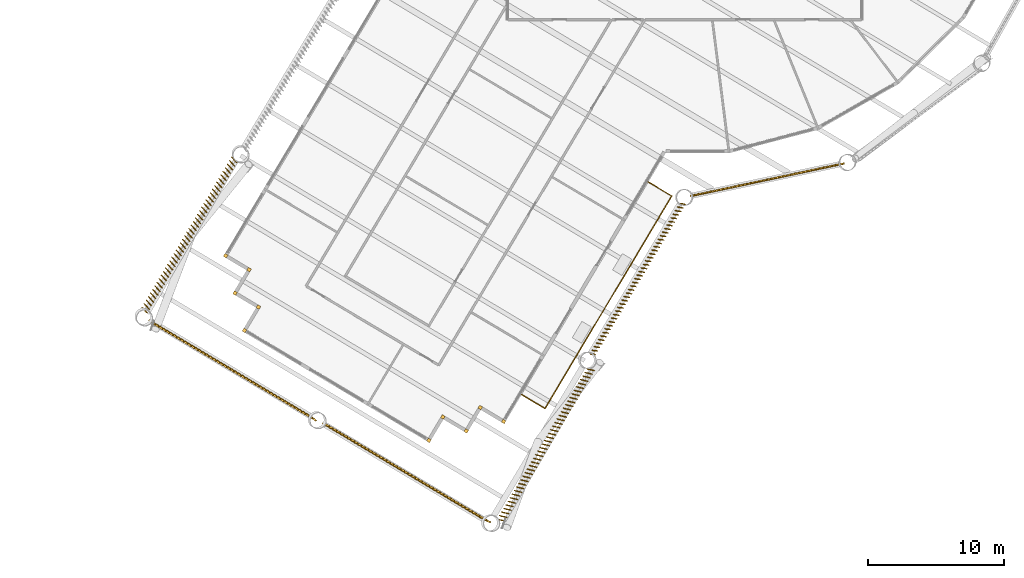
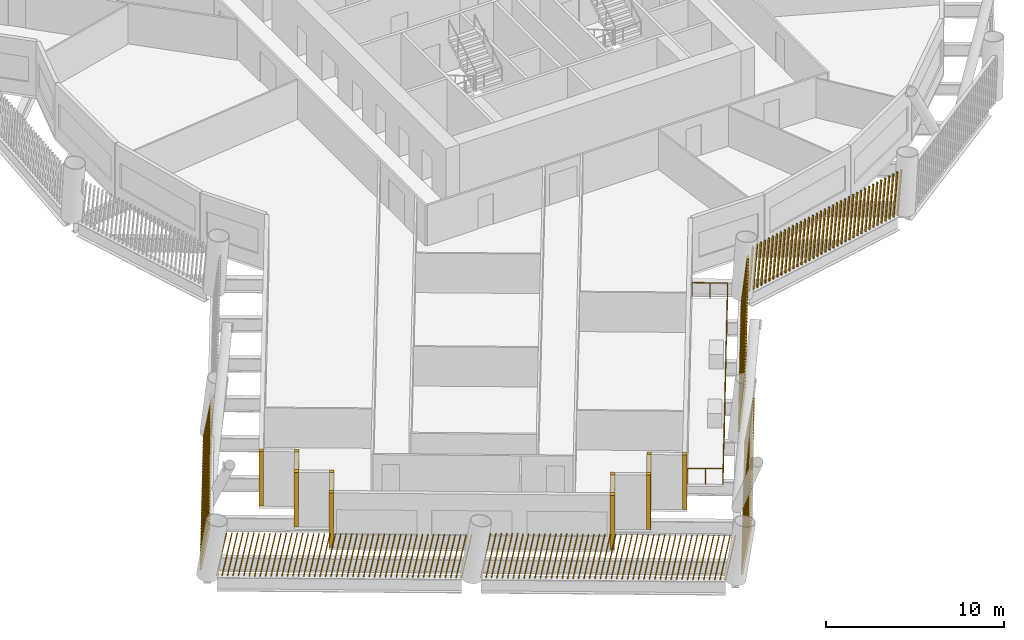
# One storey, part 18 of 22: 16 shading devices, 1 railing.
"""IFC4 building model written with IfcOpenShell, lengths in metres."""

from ifc_helpers import new_model, si_unit, direction, frame, frame_2d, origin, origin_2d, place, context, subcontext, project, spatial, rectangle, circle, composite_profile, extrude, material, type_object, element, save


model = new_model("IFC4")

# Units and contexts
model_context = context("Model", 3, precision=1e-05, world=origin(), true_north=direction((0.0, 1.0)))
body_context = subcontext(model_context, "Body", "Model", "MODEL_VIEW")
ifc_project = project(units=[si_unit("LENGTHUNIT", "METRE"), si_unit("AREAUNIT", "SQUARE_METRE"), si_unit("VOLUMEUNIT", "CUBIC_METRE"), si_unit("PLANEANGLEUNIT", "RADIAN"), si_unit("MASSUNIT", "GRAM", prefix="KILO")], contexts=[model_context])

# Site, building, storey
site_placement = place(None, origin())
site = spatial("IfcSite", under=ifc_project, at=site_placement, CompositionType="ELEMENT")
building_placement = place(site_placement, origin())
building = spatial("IfcBuilding", under=site, at=building_placement, Name="Tarsis Ring Headquarters", CompositionType="ELEMENT")
storey_placement = place(building_placement, frame((0.0, 0.0, 79.0)))
storey = spatial("IfcBuildingStorey", under=building, at=storey_placement, Name="L17", CompositionType="ELEMENT", Elevation=79.0)

# Railing
ifc_material_1 = material(Name="Stainless steel guard", Category="steel")
railing_type = type_object("IfcRailingType", Name="Balcony balustrade with mesh infill 1100", PredefinedType="BALUSTRADE", material=ifc_material_1)
railing_placement = place(storey_placement, frame((-11.96630859375, -43.50927734375, 0.0)))
element("IfcRailing", 1, at=railing_placement, inside=storey, type_object=railing_type, Name="Balcony balustrade L17-16", PredefinedType="BALUSTRADE", context=body_context, shape_type="SweptSolid", body=[
    extrude(circle(Radius=0.030029296875, at=origin_2d()), frame((0.0, 0.0, 1.070068359375), z_axis=(0.858922191739, -0.512106110623, 0.0), x_axis=(0.512106110623, 0.858922191739, 0.0)), (0.0, 0.0, 1.0), 2.0),
    extrude(circle(Radius=0.030029296875, at=origin_2d()), frame((1.7177734375, -1.024169921875, 1.070068359375), z_axis=(0.512048893766, 0.858956302959, 0.0), x_axis=(-0.858956302959, 0.512048893766, 0.0)), (0.0, 0.0, 1.0), 18.1513671875),
    extrude(circle(Radius=0.030029296875, at=origin_2d()), frame((11.01220703125, 14.567138671875, 1.070068359375), z_axis=(-0.858954201292, 0.512052419272, 0.0), x_axis=(-0.512052419272, -0.858954201292, 0.0)), (0.0, 0.0, 1.0), 2.000244140625),
    extrude(circle(Radius=0.02490234375, at=origin_2d()), origin(), (0.0, 0.0, 1.0), 1.0400390625),
    extrude(circle(Radius=0.02490234375, at=origin_2d()), frame((0.85888671875, -0.51220703125, 0.0)), (0.0, 0.0, 1.0), 1.0400390625),
    extrude(circle(Radius=0.02490234375, at=origin_2d()), frame((1.7177734375, -1.024169921875, 0.0)), (0.0, 0.0, 1.0), 1.0400390625),
    extrude(circle(Radius=0.02490234375, at=origin_2d()), frame((2.298583984375, -0.0498046875, 0.0)), (0.0, 0.0, 1.0), 1.0400390625),
    extrude(circle(Radius=0.02490234375, at=origin_2d()), frame((2.879638671875, 0.9248046875, 0.0)), (0.0, 0.0, 1.0), 1.0400390625),
    extrude(circle(Radius=0.02490234375, at=origin_2d()), frame((3.46044921875, 1.899169921875, 0.0)), (0.0, 0.0, 1.0), 1.0400390625),
    extrude(circle(Radius=0.02490234375, at=origin_2d()), frame((4.04150390625, 2.87353515625, 0.0)), (0.0, 0.0, 1.0), 1.0400390625),
    extrude(circle(Radius=0.02490234375, at=origin_2d()), frame((4.622314453125, 3.84814453125, 0.0)), (0.0, 0.0, 1.0), 1.0400390625),
    extrude(circle(Radius=0.02490234375, at=origin_2d()), frame((5.203125, 4.822509765625, 0.0)), (0.0, 0.0, 1.0), 1.0400390625),
    extrude(circle(Radius=0.02490234375, at=origin_2d()), frame((5.7841796875, 5.797119140625, 0.0)), (0.0, 0.0, 1.0), 1.0400390625),
    extrude(circle(Radius=0.02490234375, at=origin_2d()), frame((6.364990234375, 6.771484375, 0.0)), (0.0, 0.0, 1.0), 1.0400390625),
    extrude(circle(Radius=0.02490234375, at=origin_2d()), frame((6.94580078125, 7.745849609375, 0.0)), (0.0, 0.0, 1.0), 1.0400390625),
    extrude(circle(Radius=0.02490234375, at=origin_2d()), frame((7.52685546875, 8.720458984375, 0.0)), (0.0, 0.0, 1.0), 1.0400390625),
    extrude(circle(Radius=0.02490234375, at=origin_2d()), frame((8.107666015625, 9.69482421875, 0.0)), (0.0, 0.0, 1.0), 1.0400390625),
    extrude(circle(Radius=0.02490234375, at=origin_2d()), frame((8.6884765625, 10.66943359375, 0.0)), (0.0, 0.0, 1.0), 1.0400390625),
    extrude(circle(Radius=0.02490234375, at=origin_2d()), frame((9.26953125, 11.643798828125, 0.0)), (0.0, 0.0, 1.0), 1.0400390625),
    extrude(circle(Radius=0.02490234375, at=origin_2d()), frame((9.850341796875, 12.6181640625, 0.0)), (0.0, 0.0, 1.0), 1.0400390625),
    extrude(circle(Radius=0.02490234375, at=origin_2d()), frame((10.431396484375, 13.5927734375, 0.0)), (0.0, 0.0, 1.0), 1.0400390625),
    extrude(circle(Radius=0.02490234375, at=origin_2d()), frame((11.01220703125, 14.567138671875, 0.0)), (0.0, 0.0, 1.0), 1.0400390625),
    extrude(circle(Radius=0.02490234375, at=origin_2d()), frame((10.1533203125, 15.0791015625, 0.0)), (0.0, 0.0, 1.0), 1.0400390625),
    extrude(circle(Radius=0.02490234375, at=origin_2d()), frame((9.294189453125, 15.59130859375, 0.0)), (0.0, 0.0, 1.0), 1.0400390625),
])

# Shading devices
ifc_material_2 = material(Name="Terracotta baguette", Category="masonry")
shading_device_type_1 = type_object("IfcShadingDeviceType", Name="Terracotta baguette screen", PredefinedType="USERDEFINED", material=ifc_material_2)
shading_device_1_placement = place(storey_placement, frame((-33.2080078125, -26.07080078125, 0.0), z_axis=(0.0, 0.0, 1.0), x_axis=(-0.512034514078, -0.858953981229, 0.0)))
element("IfcShadingDevice", 2, at=shading_device_1_placement, inside=storey, type_object=shading_device_type_1, Name="Baguette screen L17-02", ObjectType="Terracotta baguette screen", PredefinedType="USERDEFINED", context=body_context, shape_type="SweptSolid", body=[
    extrude(composite_profile([rectangle(XDim=0.06005859375, YDim=0.1201171875, at=frame_2d((0.030029296875, 0.0))), rectangle(XDim=0.06005859375, YDim=0.1201171875, at=frame_2d((0.335693359375, 0.0))), rectangle(XDim=0.06005859375, YDim=0.1201171875, at=frame_2d((0.6416015625, 0.0))), rectangle(XDim=0.06005859375, YDim=0.1201171875, at=frame_2d((0.947265625, 0.0))), rectangle(XDim=0.06005859375, YDim=0.1201171875, at=frame_2d((1.253173828125, 0.0))), rectangle(XDim=0.06005859375, YDim=0.1201171875, at=frame_2d((1.558837890625, 0.0))), rectangle(XDim=0.06005859375, YDim=0.1201171875, at=frame_2d((1.864501953125, 0.0))), rectangle(XDim=0.06005859375, YDim=0.1201171875, at=frame_2d((2.17041015625, 0.0))), rectangle(XDim=0.06005859375, YDim=0.1201171875, at=frame_2d((2.47607421875, 0.0))), rectangle(XDim=0.06005859375, YDim=0.1201171875, at=frame_2d((2.781982421875, 0.0))), rectangle(XDim=0.06005859375, YDim=0.1201171875, at=frame_2d((3.087646484375, 0.0))), rectangle(XDim=0.06005859375, YDim=0.1201171875, at=frame_2d((3.393310546875, 0.0))), rectangle(XDim=0.06005859375, YDim=0.1201171875, at=frame_2d((3.69921875, 0.0))), rectangle(XDim=0.06005859375, YDim=0.1201171875, at=frame_2d((4.0048828125, 0.0))), rectangle(XDim=0.06005859375, YDim=0.1201171875, at=frame_2d((4.310791015625, 0.0))), rectangle(XDim=0.06005859375, YDim=0.1201171875, at=frame_2d((4.616455078125, 0.0))), rectangle(XDim=0.06005859375, YDim=0.1201171875, at=frame_2d((4.922119140625, 0.0))), rectangle(XDim=0.06005859375, YDim=0.1201171875, at=frame_2d((5.22802734375, 0.0))), rectangle(XDim=0.06005859375, YDim=0.1201171875, at=frame_2d((5.53369140625, 0.0))), rectangle(XDim=0.06005859375, YDim=0.1201171875, at=frame_2d((5.839599609375, 0.0))), rectangle(XDim=0.06005859375, YDim=0.1201171875, at=frame_2d((6.145263671875, 0.0))), rectangle(XDim=0.06005859375, YDim=0.1201171875, at=frame_2d((6.451171875, 0.0))), rectangle(XDim=0.06005859375, YDim=0.1201171875, at=frame_2d((6.7568359375, 0.0))), rectangle(XDim=0.06005859375, YDim=0.1201171875, at=frame_2d((7.0625, 0.0))), rectangle(XDim=0.06005859375, YDim=0.1201171875, at=frame_2d((7.368408203125, 0.0))), rectangle(XDim=0.06005859375, YDim=0.1201171875, at=frame_2d((7.674072265625, 0.0))), rectangle(XDim=0.06005859375, YDim=0.1201171875, at=frame_2d((7.97998046875, 0.0))), rectangle(XDim=0.06005859375, YDim=0.1201171875, at=frame_2d((8.28564453125, 0.0))), rectangle(XDim=0.06005859375, YDim=0.1201171875, at=frame_2d((8.59130859375, 0.0))), rectangle(XDim=0.06005859375, YDim=0.1201171875, at=frame_2d((8.897216796875, 0.0))), rectangle(XDim=0.06005859375, YDim=0.1201171875, at=frame_2d((9.202880859375, 0.0))), rectangle(XDim=0.06005859375, YDim=0.1201171875, at=frame_2d((9.5087890625, 0.0))), rectangle(XDim=0.06005859375, YDim=0.1201171875, at=frame_2d((9.814453125, 0.0))), rectangle(XDim=0.06005859375, YDim=0.1201171875, at=frame_2d((10.1201171875, 0.0))), rectangle(XDim=0.06005859375, YDim=0.1201171875, at=frame_2d((10.426025390625, 0.0))), rectangle(XDim=0.06005859375, YDim=0.1201171875, at=frame_2d((10.731689453125, 0.0))), rectangle(XDim=0.06005859375, YDim=0.1201171875, at=frame_2d((11.03759765625, 0.0))), rectangle(XDim=0.06005859375, YDim=0.1201171875, at=frame_2d((11.34326171875, 0.0))), rectangle(XDim=0.06005859375, YDim=0.1201171875, at=frame_2d((11.64892578125, 0.0))), rectangle(XDim=0.06005859375, YDim=0.1201171875, at=frame_2d((11.954833984375, 0.0))), rectangle(XDim=0.06005859375, YDim=0.1201171875, at=frame_2d((12.260498046875, 0.0))), rectangle(XDim=0.06005859375, YDim=0.1201171875, at=frame_2d((12.56640625, 0.0))), rectangle(XDim=0.06005859375, YDim=0.1201171875, at=frame_2d((12.8720703125, 0.0)))]), origin(), (0.052207865951, 0.160549018093, 0.985646159391), 2.99560546875),
])
shading_device_2_placement = place(storey_placement, frame((-39.319091796875, -38.03076171875, 0.0), z_axis=(0.0, 0.0, 1.0), x_axis=(0.858949863779, -0.512047553338, 0.0)))
element("IfcShadingDevice", 3, at=shading_device_2_placement, inside=storey, type_object=shading_device_type_1, Name="Baguette screen L17-03", ObjectType="Terracotta baguette screen", PredefinedType="USERDEFINED", context=body_context, shape_type="SweptSolid", body=[
    extrude(composite_profile([rectangle(XDim=0.06005859375, YDim=0.1201171875, at=frame_2d((0.030029296875, 0.0))), rectangle(XDim=0.06005859375, YDim=0.1201171875, at=frame_2d((0.33544921875, 0.0))), rectangle(XDim=0.06005859375, YDim=0.1201171875, at=frame_2d((0.640625, 0.0))), rectangle(XDim=0.06005859375, YDim=0.1201171875, at=frame_2d((0.946044921875, 0.0))), rectangle(XDim=0.06005859375, YDim=0.1201171875, at=frame_2d((1.25146484375, 0.0))), rectangle(XDim=0.06005859375, YDim=0.1201171875, at=frame_2d((1.556640625, 0.0))), rectangle(XDim=0.06005859375, YDim=0.1201171875, at=frame_2d((1.862060546875, 0.0))), rectangle(XDim=0.06005859375, YDim=0.1201171875, at=frame_2d((2.16748046875, 0.0))), rectangle(XDim=0.06005859375, YDim=0.1201171875, at=frame_2d((2.47265625, 0.0))), rectangle(XDim=0.06005859375, YDim=0.1201171875, at=frame_2d((2.778076171875, 0.0))), rectangle(XDim=0.06005859375, YDim=0.1201171875, at=frame_2d((3.08349609375, 0.0))), rectangle(XDim=0.06005859375, YDim=0.1201171875, at=frame_2d((3.388671875, 0.0))), rectangle(XDim=0.06005859375, YDim=0.1201171875, at=frame_2d((3.694091796875, 0.0))), rectangle(XDim=0.06005859375, YDim=0.1201171875, at=frame_2d((3.99951171875, 0.0))), rectangle(XDim=0.06005859375, YDim=0.1201171875, at=frame_2d((4.3046875, 0.0))), rectangle(XDim=0.06005859375, YDim=0.1201171875, at=frame_2d((4.610107421875, 0.0))), rectangle(XDim=0.06005859375, YDim=0.1201171875, at=frame_2d((4.91552734375, 0.0))), rectangle(XDim=0.06005859375, YDim=0.1201171875, at=frame_2d((5.220703125, 0.0))), rectangle(XDim=0.06005859375, YDim=0.1201171875, at=frame_2d((5.526123046875, 0.0))), rectangle(XDim=0.06005859375, YDim=0.1201171875, at=frame_2d((5.83154296875, 0.0))), rectangle(XDim=0.06005859375, YDim=0.1201171875, at=frame_2d((6.13671875, 0.0))), rectangle(XDim=0.06005859375, YDim=0.1201171875, at=frame_2d((6.442138671875, 0.0))), rectangle(XDim=0.06005859375, YDim=0.1201171875, at=frame_2d((6.74755859375, 0.0))), rectangle(XDim=0.06005859375, YDim=0.1201171875, at=frame_2d((7.052734375, 0.0))), rectangle(XDim=0.06005859375, YDim=0.1201171875, at=frame_2d((7.358154296875, 0.0))), rectangle(XDim=0.06005859375, YDim=0.1201171875, at=frame_2d((7.66357421875, 0.0))), rectangle(XDim=0.06005859375, YDim=0.1201171875, at=frame_2d((7.96875, 0.0))), rectangle(XDim=0.06005859375, YDim=0.1201171875, at=frame_2d((8.274169921875, 0.0))), rectangle(XDim=0.06005859375, YDim=0.1201171875, at=frame_2d((8.57958984375, 0.0))), rectangle(XDim=0.06005859375, YDim=0.1201171875, at=frame_2d((8.884765625, 0.0))), rectangle(XDim=0.06005859375, YDim=0.1201171875, at=frame_2d((9.190185546875, 0.0))), rectangle(XDim=0.06005859375, YDim=0.1201171875, at=frame_2d((9.49560546875, 0.0))), rectangle(XDim=0.06005859375, YDim=0.1201171875, at=frame_2d((9.80078125, 0.0))), rectangle(XDim=0.06005859375, YDim=0.1201171875, at=frame_2d((10.106201171875, 0.0))), rectangle(XDim=0.06005859375, YDim=0.1201171875, at=frame_2d((10.41162109375, 0.0))), rectangle(XDim=0.06005859375, YDim=0.1201171875, at=frame_2d((10.716796875, 0.0))), rectangle(XDim=0.06005859375, YDim=0.1201171875, at=frame_2d((11.022216796875, 0.0))), rectangle(XDim=0.06005859375, YDim=0.1201171875, at=frame_2d((11.32763671875, 0.0))), rectangle(XDim=0.06005859375, YDim=0.1201171875, at=frame_2d((11.6328125, 0.0))), rectangle(XDim=0.06005859375, YDim=0.1201171875, at=frame_2d((11.938232421875, 0.0))), rectangle(XDim=0.06005859375, YDim=0.1201171875, at=frame_2d((12.24365234375, 0.0))), rectangle(XDim=0.06005859375, YDim=0.1201171875, at=frame_2d((12.548828125, 0.0))), rectangle(XDim=0.06005859375, YDim=0.1201171875, at=frame_2d((12.854248046875, 0.0))), rectangle(XDim=0.06005859375, YDim=0.1201171875, at=frame_2d((13.15966796875, 0.0))), rectangle(XDim=0.06005859375, YDim=0.1201171875, at=frame_2d((13.46484375, 0.0))), rectangle(XDim=0.06005859375, YDim=0.1201171875, at=frame_2d((13.770263671875, 0.0)))]), origin(), (0.184133442592, -0.024822582168, 0.982587764392), 3.0048828125),
])
shading_device_3_placement = place(storey_placement, frame((-26.6064453125, -45.609130859375, 0.0), z_axis=(0.0, 0.0, 1.0), x_axis=(0.858965059708, -0.512038920831, 0.0)))
element("IfcShadingDevice", 4, at=shading_device_3_placement, inside=storey, type_object=shading_device_type_1, Name="Baguette screen L17-04", ObjectType="Terracotta baguette screen", PredefinedType="USERDEFINED", context=body_context, shape_type="SweptSolid", body=[
    extrude(composite_profile([rectangle(XDim=0.06005859375, YDim=0.1201171875, at=frame_2d((0.030029296875, 0.0))), rectangle(XDim=0.06005859375, YDim=0.1201171875, at=frame_2d((0.33544921875, 0.0))), rectangle(XDim=0.06005859375, YDim=0.1201171875, at=frame_2d((0.640625, 0.0))), rectangle(XDim=0.06005859375, YDim=0.1201171875, at=frame_2d((0.946044921875, 0.0))), rectangle(XDim=0.06005859375, YDim=0.1201171875, at=frame_2d((1.25146484375, 0.0))), rectangle(XDim=0.06005859375, YDim=0.1201171875, at=frame_2d((1.556640625, 0.0))), rectangle(XDim=0.06005859375, YDim=0.1201171875, at=frame_2d((1.862060546875, 0.0))), rectangle(XDim=0.06005859375, YDim=0.1201171875, at=frame_2d((2.16748046875, 0.0))), rectangle(XDim=0.06005859375, YDim=0.1201171875, at=frame_2d((2.47265625, 0.0))), rectangle(XDim=0.06005859375, YDim=0.1201171875, at=frame_2d((2.778076171875, 0.0))), rectangle(XDim=0.06005859375, YDim=0.1201171875, at=frame_2d((3.08349609375, 0.0))), rectangle(XDim=0.06005859375, YDim=0.1201171875, at=frame_2d((3.388671875, 0.0))), rectangle(XDim=0.06005859375, YDim=0.1201171875, at=frame_2d((3.694091796875, 0.0))), rectangle(XDim=0.06005859375, YDim=0.1201171875, at=frame_2d((3.99951171875, 0.0))), rectangle(XDim=0.06005859375, YDim=0.1201171875, at=frame_2d((4.3046875, 0.0))), rectangle(XDim=0.06005859375, YDim=0.1201171875, at=frame_2d((4.610107421875, 0.0))), rectangle(XDim=0.06005859375, YDim=0.1201171875, at=frame_2d((4.91552734375, 0.0))), rectangle(XDim=0.06005859375, YDim=0.1201171875, at=frame_2d((5.220703125, 0.0))), rectangle(XDim=0.06005859375, YDim=0.1201171875, at=frame_2d((5.526123046875, 0.0))), rectangle(XDim=0.06005859375, YDim=0.1201171875, at=frame_2d((5.83154296875, 0.0))), rectangle(XDim=0.06005859375, YDim=0.1201171875, at=frame_2d((6.13671875, 0.0))), rectangle(XDim=0.06005859375, YDim=0.1201171875, at=frame_2d((6.442138671875, 0.0))), rectangle(XDim=0.06005859375, YDim=0.1201171875, at=frame_2d((6.74755859375, 0.0))), rectangle(XDim=0.06005859375, YDim=0.1201171875, at=frame_2d((7.052734375, 0.0))), rectangle(XDim=0.06005859375, YDim=0.1201171875, at=frame_2d((7.358154296875, 0.0))), rectangle(XDim=0.06005859375, YDim=0.1201171875, at=frame_2d((7.66357421875, 0.0))), rectangle(XDim=0.06005859375, YDim=0.1201171875, at=frame_2d((7.96875, 0.0))), rectangle(XDim=0.06005859375, YDim=0.1201171875, at=frame_2d((8.274169921875, 0.0))), rectangle(XDim=0.06005859375, YDim=0.1201171875, at=frame_2d((8.57958984375, 0.0))), rectangle(XDim=0.06005859375, YDim=0.1201171875, at=frame_2d((8.884765625, 0.0))), rectangle(XDim=0.06005859375, YDim=0.1201171875, at=frame_2d((9.190185546875, 0.0))), rectangle(XDim=0.06005859375, YDim=0.1201171875, at=frame_2d((9.49560546875, 0.0))), rectangle(XDim=0.06005859375, YDim=0.1201171875, at=frame_2d((9.80078125, 0.0))), rectangle(XDim=0.06005859375, YDim=0.1201171875, at=frame_2d((10.106201171875, 0.0))), rectangle(XDim=0.06005859375, YDim=0.1201171875, at=frame_2d((10.41162109375, 0.0))), rectangle(XDim=0.06005859375, YDim=0.1201171875, at=frame_2d((10.716796875, 0.0))), rectangle(XDim=0.06005859375, YDim=0.1201171875, at=frame_2d((11.022216796875, 0.0))), rectangle(XDim=0.06005859375, YDim=0.1201171875, at=frame_2d((11.32763671875, 0.0))), rectangle(XDim=0.06005859375, YDim=0.1201171875, at=frame_2d((11.6328125, 0.0))), rectangle(XDim=0.06005859375, YDim=0.1201171875, at=frame_2d((11.938232421875, 0.0))), rectangle(XDim=0.06005859375, YDim=0.1201171875, at=frame_2d((12.24365234375, 0.0))), rectangle(XDim=0.06005859375, YDim=0.1201171875, at=frame_2d((12.548828125, 0.0))), rectangle(XDim=0.06005859375, YDim=0.1201171875, at=frame_2d((12.854248046875, 0.0))), rectangle(XDim=0.06005859375, YDim=0.1201171875, at=frame_2d((13.15966796875, 0.0))), rectangle(XDim=0.06005859375, YDim=0.1201171875, at=frame_2d((13.46484375, 0.0))), rectangle(XDim=0.06005859375, YDim=0.1201171875, at=frame_2d((13.770263671875, 0.0)))]), origin(), (0.183864561837, 0.026750189231, 0.982587528049), 3.0048828125),
])
shading_device_4_placement = place(storey_placement, frame((-13.7451171875, -52.69384765625, 0.0), z_axis=(0.0, 0.0, 1.0), x_axis=(0.512034514078, 0.858953981229, 0.0)))
element("IfcShadingDevice", 5, at=shading_device_4_placement, inside=storey, type_object=shading_device_type_1, Name="Baguette screen L17-05", ObjectType="Terracotta baguette screen", PredefinedType="USERDEFINED", context=body_context, shape_type="SweptSolid", body=[
    extrude(composite_profile([rectangle(XDim=0.06005859375, YDim=0.1201171875, at=frame_2d((0.030029296875, 0.0))), rectangle(XDim=0.06005859375, YDim=0.1201171875, at=frame_2d((0.335693359375, 0.0))), rectangle(XDim=0.06005859375, YDim=0.1201171875, at=frame_2d((0.6416015625, 0.0))), rectangle(XDim=0.06005859375, YDim=0.1201171875, at=frame_2d((0.947265625, 0.0))), rectangle(XDim=0.06005859375, YDim=0.1201171875, at=frame_2d((1.253173828125, 0.0))), rectangle(XDim=0.06005859375, YDim=0.1201171875, at=frame_2d((1.558837890625, 0.0))), rectangle(XDim=0.06005859375, YDim=0.1201171875, at=frame_2d((1.864501953125, 0.0))), rectangle(XDim=0.06005859375, YDim=0.1201171875, at=frame_2d((2.17041015625, 0.0))), rectangle(XDim=0.06005859375, YDim=0.1201171875, at=frame_2d((2.47607421875, 0.0))), rectangle(XDim=0.06005859375, YDim=0.1201171875, at=frame_2d((2.781982421875, 0.0))), rectangle(XDim=0.06005859375, YDim=0.1201171875, at=frame_2d((3.087646484375, 0.0))), rectangle(XDim=0.06005859375, YDim=0.1201171875, at=frame_2d((3.393310546875, 0.0))), rectangle(XDim=0.06005859375, YDim=0.1201171875, at=frame_2d((3.69921875, 0.0))), rectangle(XDim=0.06005859375, YDim=0.1201171875, at=frame_2d((4.0048828125, 0.0))), rectangle(XDim=0.06005859375, YDim=0.1201171875, at=frame_2d((4.310791015625, 0.0))), rectangle(XDim=0.06005859375, YDim=0.1201171875, at=frame_2d((4.616455078125, 0.0))), rectangle(XDim=0.06005859375, YDim=0.1201171875, at=frame_2d((4.922119140625, 0.0))), rectangle(XDim=0.06005859375, YDim=0.1201171875, at=frame_2d((5.22802734375, 0.0))), rectangle(XDim=0.06005859375, YDim=0.1201171875, at=frame_2d((5.53369140625, 0.0))), rectangle(XDim=0.06005859375, YDim=0.1201171875, at=frame_2d((5.839599609375, 0.0))), rectangle(XDim=0.06005859375, YDim=0.1201171875, at=frame_2d((6.145263671875, 0.0))), rectangle(XDim=0.06005859375, YDim=0.1201171875, at=frame_2d((6.451171875, 0.0))), rectangle(XDim=0.06005859375, YDim=0.1201171875, at=frame_2d((6.7568359375, 0.0))), rectangle(XDim=0.06005859375, YDim=0.1201171875, at=frame_2d((7.0625, 0.0))), rectangle(XDim=0.06005859375, YDim=0.1201171875, at=frame_2d((7.368408203125, 0.0))), rectangle(XDim=0.06005859375, YDim=0.1201171875, at=frame_2d((7.674072265625, 0.0))), rectangle(XDim=0.06005859375, YDim=0.1201171875, at=frame_2d((7.97998046875, 0.0))), rectangle(XDim=0.06005859375, YDim=0.1201171875, at=frame_2d((8.28564453125, 0.0))), rectangle(XDim=0.06005859375, YDim=0.1201171875, at=frame_2d((8.59130859375, 0.0))), rectangle(XDim=0.06005859375, YDim=0.1201171875, at=frame_2d((8.897216796875, 0.0))), rectangle(XDim=0.06005859375, YDim=0.1201171875, at=frame_2d((9.202880859375, 0.0))), rectangle(XDim=0.06005859375, YDim=0.1201171875, at=frame_2d((9.5087890625, 0.0))), rectangle(XDim=0.06005859375, YDim=0.1201171875, at=frame_2d((9.814453125, 0.0))), rectangle(XDim=0.06005859375, YDim=0.1201171875, at=frame_2d((10.1201171875, 0.0))), rectangle(XDim=0.06005859375, YDim=0.1201171875, at=frame_2d((10.426025390625, 0.0))), rectangle(XDim=0.06005859375, YDim=0.1201171875, at=frame_2d((10.731689453125, 0.0))), rectangle(XDim=0.06005859375, YDim=0.1201171875, at=frame_2d((11.03759765625, 0.0))), rectangle(XDim=0.06005859375, YDim=0.1201171875, at=frame_2d((11.34326171875, 0.0))), rectangle(XDim=0.06005859375, YDim=0.1201171875, at=frame_2d((11.64892578125, 0.0))), rectangle(XDim=0.06005859375, YDim=0.1201171875, at=frame_2d((11.954833984375, 0.0))), rectangle(XDim=0.06005859375, YDim=0.1201171875, at=frame_2d((12.260498046875, 0.0))), rectangle(XDim=0.06005859375, YDim=0.1201171875, at=frame_2d((12.56640625, 0.0))), rectangle(XDim=0.06005859375, YDim=0.1201171875, at=frame_2d((12.8720703125, 0.0)))]), origin(), (0.053884980976, -0.159994222355, 0.985646111765), 2.99560546875),
])
shading_device_5_placement = place(storey_placement, frame((-6.94873046875, -40.560302734375, 0.0), z_axis=(0.0, 0.0, 1.0), x_axis=(0.512034514078, 0.858953981229, 0.0)))
element("IfcShadingDevice", 6, at=shading_device_5_placement, inside=storey, type_object=shading_device_type_1, Name="Baguette screen L17-06", ObjectType="Terracotta baguette screen", PredefinedType="USERDEFINED", context=body_context, shape_type="SweptSolid", body=[
    extrude(composite_profile([rectangle(XDim=0.06005859375, YDim=0.1201171875, at=frame_2d((0.030029296875, 0.0))), rectangle(XDim=0.06005859375, YDim=0.1201171875, at=frame_2d((0.335693359375, 0.0))), rectangle(XDim=0.06005859375, YDim=0.1201171875, at=frame_2d((0.6416015625, 0.0))), rectangle(XDim=0.06005859375, YDim=0.1201171875, at=frame_2d((0.947265625, 0.0))), rectangle(XDim=0.06005859375, YDim=0.1201171875, at=frame_2d((1.253173828125, 0.0))), rectangle(XDim=0.06005859375, YDim=0.1201171875, at=frame_2d((1.558837890625, 0.0))), rectangle(XDim=0.06005859375, YDim=0.1201171875, at=frame_2d((1.864501953125, 0.0))), rectangle(XDim=0.06005859375, YDim=0.1201171875, at=frame_2d((2.17041015625, 0.0))), rectangle(XDim=0.06005859375, YDim=0.1201171875, at=frame_2d((2.47607421875, 0.0))), rectangle(XDim=0.06005859375, YDim=0.1201171875, at=frame_2d((2.781982421875, 0.0))), rectangle(XDim=0.06005859375, YDim=0.1201171875, at=frame_2d((3.087646484375, 0.0))), rectangle(XDim=0.06005859375, YDim=0.1201171875, at=frame_2d((3.393310546875, 0.0))), rectangle(XDim=0.06005859375, YDim=0.1201171875, at=frame_2d((3.69921875, 0.0))), rectangle(XDim=0.06005859375, YDim=0.1201171875, at=frame_2d((4.0048828125, 0.0))), rectangle(XDim=0.06005859375, YDim=0.1201171875, at=frame_2d((4.310791015625, 0.0))), rectangle(XDim=0.06005859375, YDim=0.1201171875, at=frame_2d((4.616455078125, 0.0))), rectangle(XDim=0.06005859375, YDim=0.1201171875, at=frame_2d((4.922119140625, 0.0))), rectangle(XDim=0.06005859375, YDim=0.1201171875, at=frame_2d((5.22802734375, 0.0))), rectangle(XDim=0.06005859375, YDim=0.1201171875, at=frame_2d((5.53369140625, 0.0))), rectangle(XDim=0.06005859375, YDim=0.1201171875, at=frame_2d((5.839599609375, 0.0))), rectangle(XDim=0.06005859375, YDim=0.1201171875, at=frame_2d((6.145263671875, 0.0))), rectangle(XDim=0.06005859375, YDim=0.1201171875, at=frame_2d((6.451171875, 0.0))), rectangle(XDim=0.06005859375, YDim=0.1201171875, at=frame_2d((6.7568359375, 0.0))), rectangle(XDim=0.06005859375, YDim=0.1201171875, at=frame_2d((7.0625, 0.0))), rectangle(XDim=0.06005859375, YDim=0.1201171875, at=frame_2d((7.368408203125, 0.0))), rectangle(XDim=0.06005859375, YDim=0.1201171875, at=frame_2d((7.674072265625, 0.0))), rectangle(XDim=0.06005859375, YDim=0.1201171875, at=frame_2d((7.97998046875, 0.0))), rectangle(XDim=0.06005859375, YDim=0.1201171875, at=frame_2d((8.28564453125, 0.0))), rectangle(XDim=0.06005859375, YDim=0.1201171875, at=frame_2d((8.59130859375, 0.0))), rectangle(XDim=0.06005859375, YDim=0.1201171875, at=frame_2d((8.897216796875, 0.0))), rectangle(XDim=0.06005859375, YDim=0.1201171875, at=frame_2d((9.202880859375, 0.0))), rectangle(XDim=0.06005859375, YDim=0.1201171875, at=frame_2d((9.5087890625, 0.0))), rectangle(XDim=0.06005859375, YDim=0.1201171875, at=frame_2d((9.814453125, 0.0))), rectangle(XDim=0.06005859375, YDim=0.1201171875, at=frame_2d((10.1201171875, 0.0))), rectangle(XDim=0.06005859375, YDim=0.1201171875, at=frame_2d((10.426025390625, 0.0))), rectangle(XDim=0.06005859375, YDim=0.1201171875, at=frame_2d((10.731689453125, 0.0))), rectangle(XDim=0.06005859375, YDim=0.1201171875, at=frame_2d((11.03759765625, 0.0))), rectangle(XDim=0.06005859375, YDim=0.1201171875, at=frame_2d((11.34326171875, 0.0))), rectangle(XDim=0.06005859375, YDim=0.1201171875, at=frame_2d((11.64892578125, 0.0))), rectangle(XDim=0.06005859375, YDim=0.1201171875, at=frame_2d((11.954833984375, 0.0))), rectangle(XDim=0.06005859375, YDim=0.1201171875, at=frame_2d((12.260498046875, 0.0))), rectangle(XDim=0.06005859375, YDim=0.1201171875, at=frame_2d((12.56640625, 0.0))), rectangle(XDim=0.06005859375, YDim=0.1201171875, at=frame_2d((12.8720703125, 0.0)))]), origin(), (0.052672847914, -0.112154978067, 0.992293722638), 2.9755859375),
])
shading_device_6_placement = place(storey_placement, frame((0.40283203125, -28.9443359375, 0.0), z_axis=(0.0, 0.0, 1.0), x_axis=(0.978144329897, 0.207921866522, 0.0)))
element("IfcShadingDevice", 7, at=shading_device_6_placement, inside=storey, type_object=shading_device_type_1, Name="Baguette screen L17-07", ObjectType="Terracotta baguette screen", PredefinedType="USERDEFINED", context=body_context, shape_type="SweptSolid", body=[
    extrude(composite_profile([rectangle(XDim=0.06005859375, YDim=0.1201171875, at=frame_2d((0.030029296875, 0.0))), rectangle(XDim=0.06005859375, YDim=0.1201171875, at=frame_2d((0.33251953125, 0.0))), rectangle(XDim=0.06005859375, YDim=0.1201171875, at=frame_2d((0.634765625, 0.0))), rectangle(XDim=0.06005859375, YDim=0.1201171875, at=frame_2d((0.937255859375, 0.0))), rectangle(XDim=0.06005859375, YDim=0.1201171875, at=frame_2d((1.239501953125, 0.0))), rectangle(XDim=0.06005859375, YDim=0.1201171875, at=frame_2d((1.5419921875, 0.0))), rectangle(XDim=0.06005859375, YDim=0.1201171875, at=frame_2d((1.844482421875, 0.0))), rectangle(XDim=0.06005859375, YDim=0.1201171875, at=frame_2d((2.146728515625, 0.0))), rectangle(XDim=0.06005859375, YDim=0.1201171875, at=frame_2d((2.44921875, 0.0))), rectangle(XDim=0.06005859375, YDim=0.1201171875, at=frame_2d((2.751708984375, 0.0))), rectangle(XDim=0.06005859375, YDim=0.1201171875, at=frame_2d((3.053955078125, 0.0))), rectangle(XDim=0.06005859375, YDim=0.1201171875, at=frame_2d((3.3564453125, 0.0))), rectangle(XDim=0.06005859375, YDim=0.1201171875, at=frame_2d((3.65869140625, 0.0))), rectangle(XDim=0.06005859375, YDim=0.1201171875, at=frame_2d((3.961181640625, 0.0))), rectangle(XDim=0.06005859375, YDim=0.1201171875, at=frame_2d((4.263671875, 0.0))), rectangle(XDim=0.06005859375, YDim=0.1201171875, at=frame_2d((4.56591796875, 0.0))), rectangle(XDim=0.06005859375, YDim=0.1201171875, at=frame_2d((4.868408203125, 0.0))), rectangle(XDim=0.06005859375, YDim=0.1201171875, at=frame_2d((5.1708984375, 0.0))), rectangle(XDim=0.06005859375, YDim=0.1201171875, at=frame_2d((5.47314453125, 0.0))), rectangle(XDim=0.06005859375, YDim=0.1201171875, at=frame_2d((5.775634765625, 0.0))), rectangle(XDim=0.06005859375, YDim=0.1201171875, at=frame_2d((6.077880859375, 0.0))), rectangle(XDim=0.06005859375, YDim=0.1201171875, at=frame_2d((6.38037109375, 0.0))), rectangle(XDim=0.06005859375, YDim=0.1201171875, at=frame_2d((6.682861328125, 0.0))), rectangle(XDim=0.06005859375, YDim=0.1201171875, at=frame_2d((6.985107421875, 0.0))), rectangle(XDim=0.06005859375, YDim=0.1201171875, at=frame_2d((7.28759765625, 0.0))), rectangle(XDim=0.06005859375, YDim=0.1201171875, at=frame_2d((7.590087890625, 0.0))), rectangle(XDim=0.06005859375, YDim=0.1201171875, at=frame_2d((7.892333984375, 0.0))), rectangle(XDim=0.06005859375, YDim=0.1201171875, at=frame_2d((8.19482421875, 0.0))), rectangle(XDim=0.06005859375, YDim=0.1201171875, at=frame_2d((8.4970703125, 0.0))), rectangle(XDim=0.06005859375, YDim=0.1201171875, at=frame_2d((8.799560546875, 0.0))), rectangle(XDim=0.06005859375, YDim=0.1201171875, at=frame_2d((9.10205078125, 0.0))), rectangle(XDim=0.06005859375, YDim=0.1201171875, at=frame_2d((9.404296875, 0.0))), rectangle(XDim=0.06005859375, YDim=0.1201171875, at=frame_2d((9.706787109375, 0.0))), rectangle(XDim=0.06005859375, YDim=0.1201171875, at=frame_2d((10.00927734375, 0.0))), rectangle(XDim=0.06005859375, YDim=0.1201171875, at=frame_2d((10.3115234375, 0.0))), rectangle(XDim=0.06005859375, YDim=0.1201171875, at=frame_2d((10.614013671875, 0.0))), rectangle(XDim=0.06005859375, YDim=0.1201171875, at=frame_2d((10.916259765625, 0.0))), rectangle(XDim=0.06005859375, YDim=0.1201171875, at=frame_2d((11.21875, 0.0)))]), origin(), (0.100200352041, 0.000526034659, 0.994967141537), 2.967529296875),
])
shading_device_type_2 = type_object("IfcShadingDeviceType", Name="Terracotta corner baguette 250x250", PredefinedType="USERDEFINED", material=ifc_material_2)
for number, where, z_axis, x_axis, name in (
    (8, (-33.690185546875, -33.32421875, 0.0), (0.0, 0.0, 1.0), (-0.512042864871, -0.858959896931, 0.0), "Corner baguette L17-07"),
    (9, (-31.97216796875, -34.348388671875, 0.0), (0.0, 0.0, 1.0), (0.858959995236, -0.512042699962, 0.0), "Corner baguette L17-08"),
    (10, (-32.996337890625, -36.066162109375, 0.0), (0.0, 0.0, 1.0), (-0.512043134721, -0.858959736068, 0.0), "Corner baguette L17-09"),
    (11, (-31.2783203125, -37.09033203125, 0.0), (0.0, 0.0, 1.0), (0.858959736068, -0.512043134721, 0.0), "Corner baguette L17-10"),
    (12, (-32.302490234375, -38.808349609375, 0.0), (0.0, 0.0, 1.0), (-0.512042924837, -0.858959861183, 0.0), "Corner baguette L17-11"),
    (13, (-18.77392578125, -46.873046875, 0.0), (0.0, 0.0, 1.0), (0.858959932678, -0.512042804904, 0.0), "Corner baguette L17-12"),
    (14, (-17.749755859375, -45.155029296875, 0.0), (0.0, 0.0, 1.0), (0.51204277492, 0.858959950552, 0.0), "Corner baguette L17-13"),
    (15, (-16.03173828125, -46.17919921875, 0.0), (0.0, 0.0, 1.0), (0.858959995236, -0.512042699962, 0.0), "Corner baguette L17-14"),
    (16, (-15.0078125, -44.461181640625, 0.0), (0.0, 0.0, 1.0), (0.51204232517, 0.858960218657, 0.0), "Corner baguette L17-15"),
    (17, (-13.289794921875, -45.4853515625, 0.0), (0.0, 0.0, 1.0), (0.858959861183, -0.512042924837, 0.0), "Corner baguette L17-16"),
):
    element("IfcShadingDevice", number, at=place(storey_placement, frame(where, z_axis=z_axis, x_axis=x_axis)), inside=storey, type_object=shading_device_type_2, Name=name, ObjectType="Terracotta corner baguette", PredefinedType="USERDEFINED", context=body_context, shape_type="SweptSolid", body=[
        extrude(rectangle(XDim=0.25, YDim=0.25, at=origin_2d()), origin(), (0.0, 0.0, 1.0), 3.739990234375),
    ])

save(model, "model.ifc")
